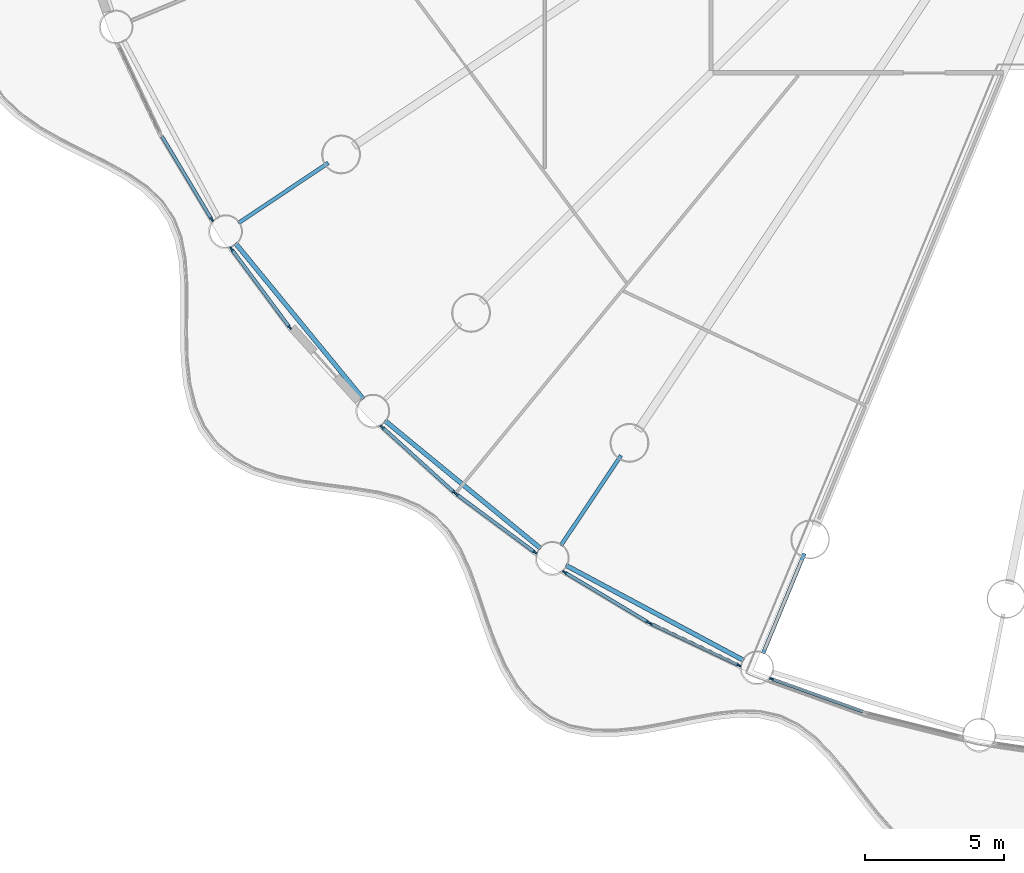
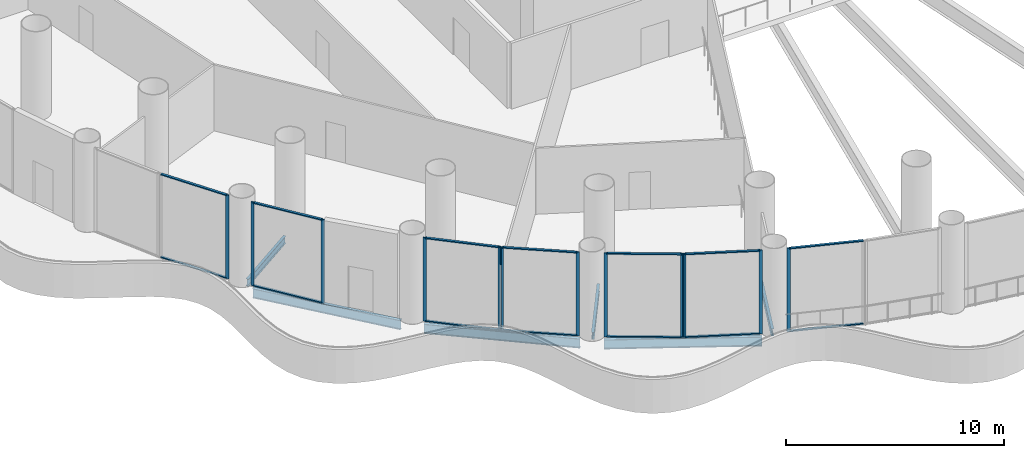
# One storey, part 2 of 36: 26 members, 6 beams, 7 elements without a shape of their own.
"""IFC4 building model written with IfcOpenShell, lengths in metres."""

from ifc_helpers import new_model, si_unit, direction, frame, origin, origin_2d, place, context, subcontext, project, spatial, rectangle, i_section, extrude, material, material_profile, profile_set, type_object, element, aggregate, save


model = new_model("IFC4")

# Units and contexts
model_context = context("Model", 3, precision=1e-05, world=origin(), true_north=direction((0.0, 1.0)))
body_context = subcontext(model_context, "Body", "Model", "MODEL_VIEW")
ifc_project = project(units=[si_unit("LENGTHUNIT", "METRE"), si_unit("AREAUNIT", "SQUARE_METRE"), si_unit("VOLUMEUNIT", "CUBIC_METRE"), si_unit("PLANEANGLEUNIT", "RADIAN"), si_unit("MASSUNIT", "GRAM", prefix="KILO")], contexts=[model_context])

# Site, building, storey
site_placement = place(None, origin())
site = spatial("IfcSite", under=ifc_project, at=site_placement, CompositionType="ELEMENT")
building_placement = place(site_placement, origin())
building = spatial("IfcBuilding", under=site, at=building_placement, Name="Corvane Civic Tower", CompositionType="ELEMENT")
storey_placement = place(building_placement, frame((0.0, 0.0, 17.0)))
storey = spatial("IfcBuildingStorey", under=building, at=storey_placement, Name="L03", CompositionType="ELEMENT", Elevation=17.0)

# Beams
ifc_material_1 = material(Name="Steel ASTM A992 Gr 50", Category="steel")
ifc_material_profile_1 = material_profile(ifc_material_1, i_section(OverallWidth=0.165771484375, OverallDepth=0.5283203125, WebThickness=0.009765625, FlangeThickness=0.013671875, at=origin_2d()), Name="W21X50")
ifc_profile_set_1 = profile_set([ifc_material_profile_1], Name="Steel ASTM A992 Gr 50")
beam_type_1 = type_object("IfcBeamType", Name="EDGE BEAM W21X50", PredefinedType="BEAM", material=ifc_profile_set_1)
for number, where, z_axis, x_axis, name in (
    (1, (-16.82568359375, -39.1904296875, -0.564208984375), (-0.881912894916, 0.471412394598, 0.0), (-0.471412394598, -0.881912894916, 0.0), "BM-L03-E19"),
    (2, (-24.14794921875, -35.15478515625, -0.564208984375), (-0.773007924807, 0.634396365205, 0.0), (-0.634396365205, -0.773007924807, 0.0), "BM-L03-E20"),
    (3, (-30.542236328125, -29.768310546875, -0.564208984375), (-0.634396365205, 0.773007924807, 0.0), (-0.773007924807, -0.634396365205, 0.0), "BM-L03-E21"),
):
    element("IfcBeam", number, at=place(storey_placement, frame(where, z_axis=z_axis, x_axis=x_axis)), inside=storey, type_object=beam_type_1, Name=name, PredefinedType="BEAM", context=body_context, shape_type="SweptSolid", body=[
        extrude(i_section(OverallWidth=0.165771484375, OverallDepth=0.5283203125, WebThickness=0.009765625, FlangeThickness=0.013671875, at=origin_2d()), origin(), (0.0, 0.0, 1.0), 7.270751953125),
    ])
ifc_material_2 = material(Name="Steel ASTM A992 Gr 50", Category="steel")
ifc_material_profile_2 = material_profile(ifc_material_2, i_section(OverallWidth=0.140380859375, OverallDepth=0.40380859375, WebThickness=0.007080078125, FlangeThickness=0.01123046875, at=origin_2d()), Name="W16X31")
ifc_profile_set_2 = profile_set([ifc_material_profile_2], Name="Steel ASTM A992 Gr 50")
beam_type_2 = type_object("IfcBeamType", Name="FLOOR GIRDER W16X31", PredefinedType="BEAM", material=ifc_profile_set_2)
for number, where, z_axis, x_axis, name in (
    (4, (-14.6376953125, -35.33837890625, -0.501953125), (-0.382685369162, -0.923878730261, 0.0), (0.923878730261, -0.382685369162, 0.0), "BM-L03-G19b"),
    (5, (-21.25048828125, -31.8037109375, -0.501953125), (-0.555581110199, -0.831462344301, 0.0), (0.831462344301, -0.555581110199, 0.0), "BM-L03-G20b"),
    (6, (-31.8037109375, -21.25048828125, -0.501953125), (-0.831462344301, -0.555581110199, 0.0), (0.555581110199, -0.831462344301, 0.0), "BM-L03-G22b"),
):
    element("IfcBeam", number, at=place(storey_placement, frame(where, z_axis=z_axis, x_axis=x_axis)), inside=storey, type_object=beam_type_2, Name=name, PredefinedType="BEAM", context=body_context, shape_type="SweptSolid", body=[
        extrude(i_section(OverallWidth=0.140380859375, OverallDepth=0.40380859375, WebThickness=0.007080078125, FlangeThickness=0.01123046875, at=origin_2d()), origin(), (0.0, 0.0, 1.0), 3.89990234375),
    ])

# Curtain wall, member
ifc_material_3 = material(Name="Aluminium and glass", Category="aluminium")
curtain_wall_type = type_object("IfcCurtainWallType", Name="PODIUM-CW-P-RUN", PredefinedType="NOTDEFINED", material=ifc_material_3)
curtain_wall_1_placement = place(storey_placement, origin())
curtain_wall_1 = element("IfcCurtainWall", 7, at=curtain_wall_1_placement, inside=storey, type_object=curtain_wall_type, Name="PODI run L03-drum-18B", PredefinedType="NOTDEFINED")
ifc_material_4 = material(Name="Anodised aluminium bronze", Category="aluminium")
ifc_material_profile_3 = material_profile(ifc_material_4, rectangle(XDim=0.06005859375, YDim=0.159912109375, at=origin_2d()), Name="AL 60x160")
ifc_profile_set_3 = profile_set([ifc_material_profile_3], Name="Anodised aluminium bronze")
member_type_1 = type_object("IfcMemberType", Name="PODIUM-CWP-MULLION-60x160", PredefinedType="MULLION", material=ifc_profile_set_3)
member_1_placement = place(storey_placement, frame((-15.81298828125, -39.861083984375, 0.0), z_axis=(0.0, 0.0, 1.0), x_axis=(-0.336918534123, -0.941533802561, 0.0)))
member_1 = element("IfcMember", 8, at=member_1_placement, type_object=member_type_1, Name="CW-P mullion 2", PredefinedType="MULLION", context=body_context, shape_type="SweptSolid", body=[
    extrude(rectangle(XDim=0.06005859375, YDim=0.159912109375, at=origin_2d()), origin(), (0.0, 0.0, 1.0), 4.699951171875),
])

# Curtain wall, members
curtain_wall_2_placement = place(storey_placement, origin())
curtain_wall_2 = element("IfcCurtainWall", 9, at=curtain_wall_2_placement, inside=storey, type_object=curtain_wall_type, Name="PODI run L03-drum-19A", PredefinedType="NOTDEFINED")
member_2_placement = place(storey_placement, frame((-17.00439453125, -39.36767578125, 0.0), z_axis=(0.0, 0.0, 1.0), x_axis=(-0.42755312852, -0.903990222454, 0.0)))
member_2 = element("IfcMember", 10, at=member_2_placement, type_object=member_type_1, Name="CW-P mullion 1", PredefinedType="MULLION", context=body_context, shape_type="SweptSolid", body=[
    extrude(rectangle(XDim=0.06005859375, YDim=0.159912109375, at=origin_2d()), origin(), (0.0, 0.0, 1.0), 4.699951171875),
])
member_3_placement = place(storey_placement, frame((-20.186279296875, -37.862548828125, 0.0), z_axis=(0.0, 0.0, 1.0), x_axis=(-0.42755312852, -0.903990222454, 0.0)))
member_3 = element("IfcMember", 11, at=member_3_placement, type_object=member_type_1, Name="CW-P mullion 2", PredefinedType="MULLION", context=body_context, shape_type="SweptSolid", body=[
    extrude(rectangle(XDim=0.06005859375, YDim=0.159912109375, at=origin_2d()), origin(), (0.0, 0.0, 1.0), 4.699951171875),
])

curtain_wall_3_placement = place(storey_placement, origin())
curtain_wall_3 = element("IfcCurtainWall", 12, at=curtain_wall_3_placement, inside=storey, type_object=curtain_wall_type, Name="PODI run L03-drum-19B", PredefinedType="NOTDEFINED")
member_4_placement = place(storey_placement, frame((-20.2666015625, -37.819580078125, 0.0), z_axis=(0.0, 0.0, 1.0), x_axis=(-0.514117759857, -0.857719609779, 0.0)))
member_4 = element("IfcMember", 13, at=member_4_placement, type_object=member_type_1, Name="CW-P mullion 1", PredefinedType="MULLION", context=body_context, shape_type="SweptSolid", body=[
    extrude(rectangle(XDim=0.06005859375, YDim=0.159912109375, at=origin_2d()), origin(), (0.0, 0.0, 1.0), 4.699951171875),
])
member_5_placement = place(storey_placement, frame((-23.28564453125, -36.010009765625, 0.0), z_axis=(0.0, 0.0, 1.0), x_axis=(-0.514117759857, -0.857719609779, 0.0)))
member_5 = element("IfcMember", 14, at=member_5_placement, type_object=member_type_1, Name="CW-P mullion 2", PredefinedType="MULLION", context=body_context, shape_type="SweptSolid", body=[
    extrude(rectangle(XDim=0.06005859375, YDim=0.159912109375, at=origin_2d()), origin(), (0.0, 0.0, 1.0), 4.699951171875),
])

curtain_wall_4_placement = place(storey_placement, origin())
curtain_wall_4 = element("IfcCurtainWall", 15, at=curtain_wall_4_placement, inside=storey, type_object=curtain_wall_type, Name="PODI run L03-drum-20A", PredefinedType="NOTDEFINED")
member_6_placement = place(storey_placement, frame((-24.35791015625, -35.293701171875, 0.0), z_axis=(0.0, 0.0, 1.0), x_axis=(-0.595705104665, -0.803203229747, 0.0)))
member_6 = element("IfcMember", 16, at=member_6_placement, type_object=member_type_1, Name="CW-P mullion 1", PredefinedType="MULLION", context=body_context, shape_type="SweptSolid", body=[
    extrude(rectangle(XDim=0.06005859375, YDim=0.159912109375, at=origin_2d()), origin(), (0.0, 0.0, 1.0), 4.699951171875),
])
member_7_placement = place(storey_placement, frame((-27.18505859375, -33.197021484375, 0.0), z_axis=(0.0, 0.0, 1.0), x_axis=(-0.595705104665, -0.803203229747, 0.0)))
member_7 = element("IfcMember", 17, at=member_7_placement, type_object=member_type_1, Name="CW-P mullion 2", PredefinedType="MULLION", context=body_context, shape_type="SweptSolid", body=[
    extrude(rectangle(XDim=0.06005859375, YDim=0.159912109375, at=origin_2d()), origin(), (0.0, 0.0, 1.0), 4.699951171875),
])

curtain_wall_5_placement = place(storey_placement, origin())
curtain_wall_5 = element("IfcCurtainWall", 18, at=curtain_wall_5_placement, inside=storey, type_object=curtain_wall_type, Name="PODI run L03-drum-20B", PredefinedType="NOTDEFINED")
member_8_placement = place(storey_placement, frame((-27.25537109375, -33.13916015625, 0.0), z_axis=(0.0, 0.0, 1.0), x_axis=(-0.671576457952, -0.740935261089, 0.0)))
member_8 = element("IfcMember", 19, at=member_8_placement, type_object=member_type_1, Name="CW-P mullion 1", PredefinedType="MULLION", context=body_context, shape_type="SweptSolid", body=[
    extrude(rectangle(XDim=0.06005859375, YDim=0.159912109375, at=origin_2d()), origin(), (0.0, 0.0, 1.0), 4.699951171875),
])
member_9_placement = place(storey_placement, frame((-29.863525390625, -30.775390625, 0.0), z_axis=(0.0, 0.0, 1.0), x_axis=(-0.671576457952, -0.740935261089, 0.0)))
member_9 = element("IfcMember", 20, at=member_9_placement, type_object=member_type_1, Name="CW-P mullion 2", PredefinedType="MULLION", context=body_context, shape_type="SweptSolid", body=[
    extrude(rectangle(XDim=0.06005859375, YDim=0.159912109375, at=origin_2d()), origin(), (0.0, 0.0, 1.0), 4.699951171875),
])

curtain_wall_6_placement = place(storey_placement, origin())
curtain_wall_6 = element("IfcCurtainWall", 21, at=curtain_wall_6_placement, inside=storey, type_object=curtain_wall_type, Name="PODI run L03-drum-21B", PredefinedType="NOTDEFINED")
member_10_placement = place(storey_placement, frame((-33.197021484375, -27.18505859375, 0.0), z_axis=(0.0, 0.0, 1.0), x_axis=(-0.803203229747, -0.595705104665, 0.0)))
member_10 = element("IfcMember", 22, at=member_10_placement, type_object=member_type_1, Name="CW-P mullion 1", PredefinedType="MULLION", context=body_context, shape_type="SweptSolid", body=[
    extrude(rectangle(XDim=0.06005859375, YDim=0.159912109375, at=origin_2d()), origin(), (0.0, 0.0, 1.0), 4.699951171875),
])
member_11_placement = place(storey_placement, frame((-35.293701171875, -24.35791015625, 0.0), z_axis=(0.0, 0.0, 1.0), x_axis=(-0.803203229747, -0.595705104665, 0.0)))
member_11 = element("IfcMember", 23, at=member_11_placement, type_object=member_type_1, Name="CW-P mullion 2", PredefinedType="MULLION", context=body_context, shape_type="SweptSolid", body=[
    extrude(rectangle(XDim=0.06005859375, YDim=0.159912109375, at=origin_2d()), origin(), (0.0, 0.0, 1.0), 4.699951171875),
])

# Curtain wall, member
curtain_wall_7_placement = place(storey_placement, origin())
curtain_wall_7 = element("IfcCurtainWall", 24, at=curtain_wall_7_placement, inside=storey, type_object=curtain_wall_type, Name="PODI run L03-drum-22A", PredefinedType="NOTDEFINED")
member_12_placement = place(storey_placement, frame((-36.010009765625, -23.28564453125, 0.0), z_axis=(0.0, 0.0, 1.0), x_axis=(-0.857719609779, -0.514117759857, 0.0)))
member_12 = element("IfcMember", 25, at=member_12_placement, type_object=member_type_1, Name="CW-P mullion 1", PredefinedType="MULLION", context=body_context, shape_type="SweptSolid", body=[
    extrude(rectangle(XDim=0.06005859375, YDim=0.159912109375, at=origin_2d()), origin(), (0.0, 0.0, 1.0), 4.699951171875),
])

# Member
ifc_material_5 = material(Name="Anodised aluminium bronze", Category="aluminium")
ifc_material_profile_4 = material_profile(ifc_material_5, rectangle(XDim=0.1201171875, YDim=0.06005859375, at=origin_2d()), Name="AL 120x60")
ifc_profile_set_4 = profile_set([ifc_material_profile_4], Name="Anodised aluminium bronze")
member_type_2 = type_object("IfcMemberType", Name="PODIUM-CWP-TRANSOM-60x120", PredefinedType="USERDEFINED", material=ifc_profile_set_4)
member_13_placement = place(storey_placement, frame((-12.527099609375, -41.036865234375, 0.030029296875), z_axis=(-0.941526196838, 0.336939787896, 0.0), x_axis=(-0.336939787896, -0.941526196838, 0.0)))
member_13 = element("IfcMember", 26, at=member_13_placement, type_object=member_type_2, Name="CW-P transom 1.1", ObjectType="TRANSOM", PredefinedType="USERDEFINED", context=body_context, shape_type="SweptSolid", body=[
    extrude(rectangle(XDim=0.1201171875, YDim=0.06005859375, at=origin_2d()), origin(), (0.0, 0.0, 1.0), 3.4599609375),
])

member_14_placement = place(storey_placement, frame((-12.527099609375, -41.036865234375, 4.669921875), z_axis=(-0.941526196838, 0.336939787896, 0.0), x_axis=(-0.336939787896, -0.941526196838, 0.0)))
member_14 = element("IfcMember", 27, at=member_14_placement, type_object=member_type_2, Name="CW-P transom 1.2", ObjectType="TRANSOM", PredefinedType="USERDEFINED", context=body_context, shape_type="SweptSolid", body=[
    extrude(rectangle(XDim=0.1201171875, YDim=0.06005859375, at=origin_2d()), origin(), (0.0, 0.0, 1.0), 3.4599609375),
])

aggregate(curtain_wall_1, [member_1, member_13, member_14])

member_15_placement = place(storey_placement, frame((-17.031494140625, -39.354736328125, 0.030029296875), z_axis=(-0.903993431638, 0.427546343166, 0.0), x_axis=(-0.427546343166, -0.903993431638, 0.0)))
member_15 = element("IfcMember", 28, at=member_15_placement, type_object=member_type_2, Name="CW-P transom 1.1", ObjectType="TRANSOM", PredefinedType="USERDEFINED", context=body_context, shape_type="SweptSolid", body=[
    extrude(rectangle(XDim=0.1201171875, YDim=0.06005859375, at=origin_2d()), origin(), (0.0, 0.0, 1.0), 3.4599609375),
])

member_16_placement = place(storey_placement, frame((-17.031494140625, -39.354736328125, 4.669921875), z_axis=(-0.903993431638, 0.427546343166, 0.0), x_axis=(-0.427546343166, -0.903993431638, 0.0)))
member_16 = element("IfcMember", 29, at=member_16_placement, type_object=member_type_2, Name="CW-P transom 1.2", ObjectType="TRANSOM", PredefinedType="USERDEFINED", context=body_context, shape_type="SweptSolid", body=[
    extrude(rectangle(XDim=0.1201171875, YDim=0.06005859375, at=origin_2d()), origin(), (0.0, 0.0, 1.0), 3.4599609375),
])

aggregate(curtain_wall_2, [member_2, member_3, member_15, member_16])

member_17_placement = place(storey_placement, frame((-20.29248046875, -37.80419921875, 0.030029296875), z_axis=(-0.857723234181, 0.514111713099, 0.0), x_axis=(-0.514111713099, -0.857723234181, 0.0)))
member_17 = element("IfcMember", 30, at=member_17_placement, type_object=member_type_2, Name="CW-P transom 1.1", ObjectType="TRANSOM", PredefinedType="USERDEFINED", context=body_context, shape_type="SweptSolid", body=[
    extrude(rectangle(XDim=0.1201171875, YDim=0.06005859375, at=origin_2d()), origin(), (0.0, 0.0, 1.0), 3.45947265625),
])

member_18_placement = place(storey_placement, frame((-20.29248046875, -37.80419921875, 4.669921875), z_axis=(-0.857723234181, 0.514111713099, 0.0), x_axis=(-0.514111713099, -0.857723234181, 0.0)))
member_18 = element("IfcMember", 31, at=member_18_placement, type_object=member_type_2, Name="CW-P transom 1.2", ObjectType="TRANSOM", PredefinedType="USERDEFINED", context=body_context, shape_type="SweptSolid", body=[
    extrude(rectangle(XDim=0.1201171875, YDim=0.06005859375, at=origin_2d()), origin(), (0.0, 0.0, 1.0), 3.45947265625),
])

aggregate(curtain_wall_3, [member_4, member_5, member_17, member_18])

member_19_placement = place(storey_placement, frame((-24.382080078125, -35.27587890625, 0.030029296875), z_axis=(-0.803189518598, 0.595723591285, 0.0), x_axis=(-0.595723591285, -0.803189518598, 0.0)))
member_19 = element("IfcMember", 32, at=member_19_placement, type_object=member_type_2, Name="CW-P transom 1.1", ObjectType="TRANSOM", PredefinedType="USERDEFINED", context=body_context, shape_type="SweptSolid", body=[
    extrude(rectangle(XDim=0.1201171875, YDim=0.06005859375, at=origin_2d()), origin(), (0.0, 0.0, 1.0), 3.459716796875),
])

member_20_placement = place(storey_placement, frame((-24.382080078125, -35.27587890625, 4.669921875), z_axis=(-0.803189518598, 0.595723591285, 0.0), x_axis=(-0.595723591285, -0.803189518598, 0.0)))
member_20 = element("IfcMember", 33, at=member_20_placement, type_object=member_type_2, Name="CW-P transom 1.2", ObjectType="TRANSOM", PredefinedType="USERDEFINED", context=body_context, shape_type="SweptSolid", body=[
    extrude(rectangle(XDim=0.1201171875, YDim=0.06005859375, at=origin_2d()), origin(), (0.0, 0.0, 1.0), 3.459716796875),
])

aggregate(curtain_wall_4, [member_6, member_7, member_19, member_20])

member_21_placement = place(storey_placement, frame((-27.277587890625, -33.119140625, 0.030029296875), z_axis=(-0.740935382865, 0.671576323599, 0.0), x_axis=(-0.671576323599, -0.740935382865, 0.0)))
member_21 = element("IfcMember", 34, at=member_21_placement, type_object=member_type_2, Name="CW-P transom 1.1", ObjectType="TRANSOM", PredefinedType="USERDEFINED", context=body_context, shape_type="SweptSolid", body=[
    extrude(rectangle(XDim=0.1201171875, YDim=0.06005859375, at=origin_2d()), origin(), (0.0, 0.0, 1.0), 3.460205078125),
])

member_22_placement = place(storey_placement, frame((-27.277587890625, -33.119140625, 4.669921875), z_axis=(-0.740935382865, 0.671576323599, 0.0), x_axis=(-0.671576323599, -0.740935382865, 0.0)))
member_22 = element("IfcMember", 35, at=member_22_placement, type_object=member_type_2, Name="CW-P transom 1.2", ObjectType="TRANSOM", PredefinedType="USERDEFINED", context=body_context, shape_type="SweptSolid", body=[
    extrude(rectangle(XDim=0.1201171875, YDim=0.06005859375, at=origin_2d()), origin(), (0.0, 0.0, 1.0), 3.460205078125),
])

aggregate(curtain_wall_5, [member_8, member_9, member_21, member_22])

member_23_placement = place(storey_placement, frame((-33.21484375, -27.160888671875, 0.030029296875), z_axis=(-0.595723591285, 0.803189518598, 0.0), x_axis=(-0.803189518598, -0.595723591285, 0.0)))
member_23 = element("IfcMember", 36, at=member_23_placement, type_object=member_type_2, Name="CW-P transom 1.1", ObjectType="TRANSOM", PredefinedType="USERDEFINED", context=body_context, shape_type="SweptSolid", body=[
    extrude(rectangle(XDim=0.1201171875, YDim=0.06005859375, at=origin_2d()), origin(), (0.0, 0.0, 1.0), 3.459716796875),
])

member_24_placement = place(storey_placement, frame((-33.21484375, -27.160888671875, 4.669921875), z_axis=(-0.595723591285, 0.803189518598, 0.0), x_axis=(-0.803189518598, -0.595723591285, 0.0)))
member_24 = element("IfcMember", 37, at=member_24_placement, type_object=member_type_2, Name="CW-P transom 1.2", ObjectType="TRANSOM", PredefinedType="USERDEFINED", context=body_context, shape_type="SweptSolid", body=[
    extrude(rectangle(XDim=0.1201171875, YDim=0.06005859375, at=origin_2d()), origin(), (0.0, 0.0, 1.0), 3.459716796875),
])

aggregate(curtain_wall_6, [member_10, member_11, member_23, member_24])

member_25_placement = place(storey_placement, frame((-36.025634765625, -23.259765625, 0.030029296875), z_axis=(-0.514111713099, 0.857723234181, 0.0), x_axis=(-0.857723234181, -0.514111713099, 0.0)))
member_25 = element("IfcMember", 38, at=member_25_placement, type_object=member_type_2, Name="CW-P transom 1.1", ObjectType="TRANSOM", PredefinedType="USERDEFINED", context=body_context, shape_type="SweptSolid", body=[
    extrude(rectangle(XDim=0.1201171875, YDim=0.06005859375, at=origin_2d()), origin(), (0.0, 0.0, 1.0), 3.45947265625),
])

member_26_placement = place(storey_placement, frame((-36.025634765625, -23.259765625, 4.669921875), z_axis=(-0.514111713099, 0.857723234181, 0.0), x_axis=(-0.857723234181, -0.514111713099, 0.0)))
member_26 = element("IfcMember", 39, at=member_26_placement, type_object=member_type_2, Name="CW-P transom 1.2", ObjectType="TRANSOM", PredefinedType="USERDEFINED", context=body_context, shape_type="SweptSolid", body=[
    extrude(rectangle(XDim=0.1201171875, YDim=0.06005859375, at=origin_2d()), origin(), (0.0, 0.0, 1.0), 3.45947265625),
])

aggregate(curtain_wall_7, [member_12, member_25, member_26])

save(model, "model.ifc")
